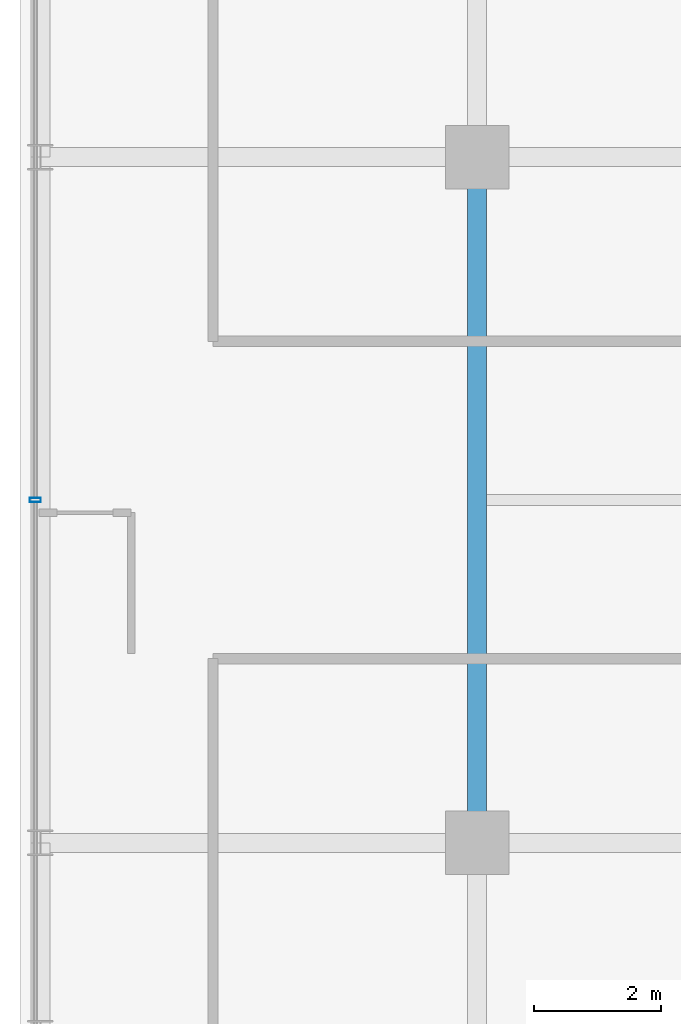
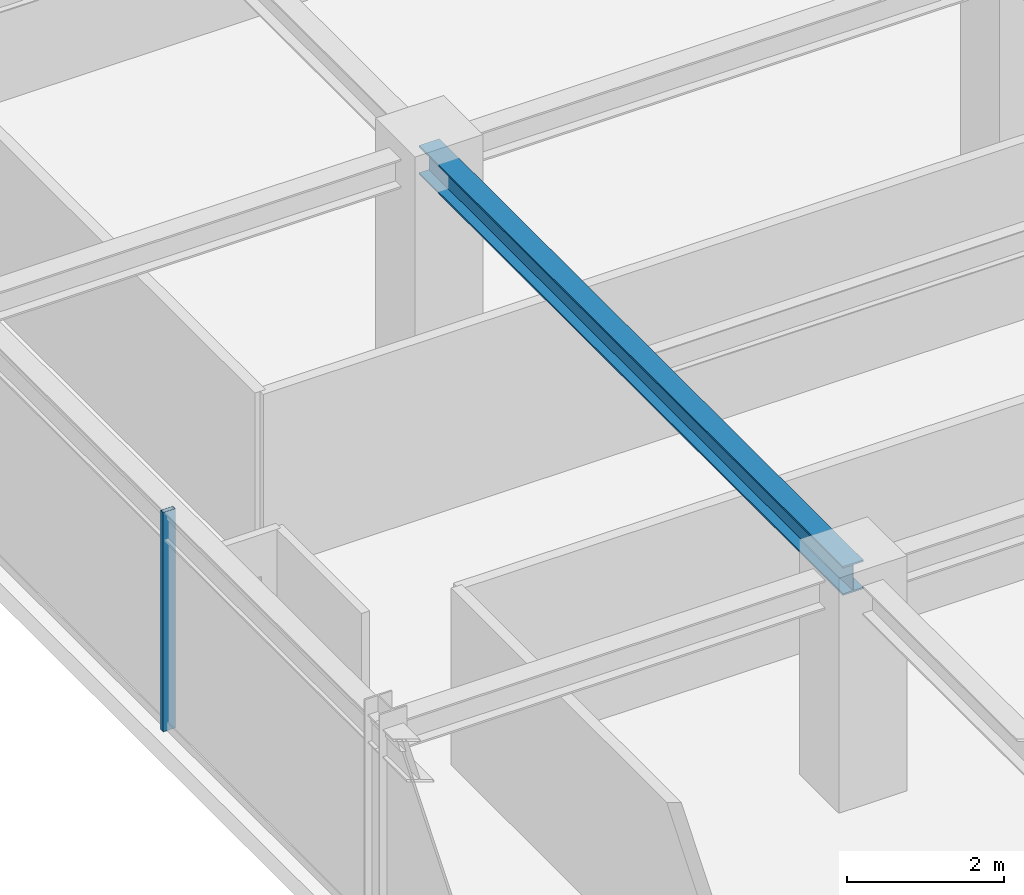
# One storey, part 10 of 42: 1 beam, 1 member, 1 element without a shape of its own.
"""IFC4 building model written with IfcOpenShell, lengths in metres."""

import ifcopenshell
import ifcopenshell.guid

model = None  # the IFC model being written
_history = None  # IfcOwnerHistory: only IFC2X3 demands one
_inside = {}  # id of a spatial element -> (the spatial element, [elements in it])
_under = {}  # id of a project, library or spatial element -> (it, [spatial elements below it])
_declared = {}  # id of a project -> (the project, [libraries it declares])
_typed = {}  # id of a type object -> (the type object, [elements of that type])
_made_of = {}  # id of a material, layer set ... -> (it, [elements and type objects made of it])


def new_model(schema):
    """Start an empty IFC model of exactly this schema.

    Asked for "IFC4X3", IfcOpenShell would pick the latest addendum, in which some entities
    have other attributes; the version numbers below select the first issue.
    IFC2X3 requires an IfcOwnerHistory on every rooted entity: one is made here for all.
    """
    global model, _history
    if schema == "IFC4X3":
        model = ifcopenshell.file(schema_version=(4, 3, 0, 0))
    else:
        model = ifcopenshell.file(schema=schema)
    _inside.clear()
    _under.clear()
    _declared.clear()
    _typed.clear()
    _made_of.clear()
    _history = None
    if model.schema == "IFC2X3":
        org = make("IfcOrganization", Name="unknown")
        user = make(
            "IfcPersonAndOrganization",
            ThePerson=make("IfcPerson", FamilyName="unknown"),
            TheOrganization=org,
        )
        app = make(
            "IfcApplication",
            ApplicationDeveloper=org,
            Version="unknown",
            ApplicationFullName="unknown",
            ApplicationIdentifier="unknown",
        )
        _history = make(
            "IfcOwnerHistory",
            OwningUser=user,
            OwningApplication=app,
            ChangeAction="ADDED",
            CreationDate=0,
        )
    return model


def make(cls, **values):
    """One entity of the class cls with the attributes given. An attribute that is None is left unset."""
    return model.create_entity(
        cls, **{name: value for name, value in values.items() if value is not None}
    )


def rooted(cls, **values):
    """An entity with a GlobalId (a new one), such as an element, a storey or a relation."""
    return make(cls, GlobalId=ifcopenshell.guid.new(), OwnerHistory=_history, **values)


def si_unit(unit_type, name, prefix=None):
    """IfcSIUnit, for example si_unit("LENGTHUNIT", "METRE", prefix="MILLI")."""
    return make("IfcSIUnit", UnitType=unit_type, Prefix=prefix, Name=name)


def assignment(units):
    """IfcUnitAssignment: the units of a project."""
    return None if units is None else make("IfcUnitAssignment", Units=units)


def point(xyz):
    """IfcCartesianPoint."""
    return None if xyz is None else make("IfcCartesianPoint", Coordinates=xyz)


def direction(xyz):
    """IfcDirection."""
    return None if xyz is None else make("IfcDirection", DirectionRatios=xyz)


def frame(location, z_axis=None, x_axis=None):
    """IfcAxis2Placement3D, a coordinate frame: its origin and axes. An axis left out is left unset."""
    return make(
        "IfcAxis2Placement3D",
        Location=point(location),
        Axis=direction(z_axis),
        RefDirection=direction(x_axis),
    )


def frame_2d(location, x_axis=None):
    """IfcAxis2Placement2D, a coordinate frame in the plane: its origin and x axis."""
    return make(
        "IfcAxis2Placement2D", Location=point(location), RefDirection=direction(x_axis)
    )


def origin():
    """The frame at (0, 0, 0) with its axes left unset."""
    return frame((0.0, 0.0, 0.0))


def origin_2d():
    """The frame at (0, 0) in the plane with its x axis left unset."""
    return frame_2d((0.0, 0.0))


def place(relative_to, where):
    """IfcLocalPlacement: puts the frame where relative to a parent placement (None: the world)."""
    return make(
        "IfcLocalPlacement", PlacementRelTo=relative_to, RelativePlacement=where
    )


def context(
    kind, dimensions, precision=None, world=None, true_north=None, identifier=None
):
    """IfcGeometricRepresentationContext, for example the 3D "Model" context."""
    return make(
        "IfcGeometricRepresentationContext",
        ContextIdentifier=identifier,
        ContextType=kind,
        CoordinateSpaceDimension=dimensions,
        Precision=precision,
        WorldCoordinateSystem=world,
        TrueNorth=true_north,
    )


def subcontext(parent, identifier, kind, view, scale=None):
    """IfcGeometricRepresentationSubContext, for example "Body" below "Model"."""
    return make(
        "IfcGeometricRepresentationSubContext",
        ContextIdentifier=identifier,
        ContextType=kind,
        ParentContext=parent,
        TargetScale=scale,
        TargetView=view,
    )


def project(units=None, contexts=None):
    """IfcProject with its units and contexts."""
    return rooted(
        "IfcProject",
        Name="project",
        RepresentationContexts=contexts,
        UnitsInContext=assignment(units),
    )


def spatial(cls, under=None, at=None, **own):
    """A site, building, storey or space (cls), placed at a placement, below another one or the project."""
    s = rooted(cls, ObjectPlacement=at, **own)
    if under is not None:
        _under.setdefault(under.id(), (under, []))[1].append(s)
    return s


def profile(cls, at=None, kind="AREA", **sizes):
    """A parametric profile (cls). Its sizes go by their IFC names, for example OverallWidth=200.0."""
    return make(cls, ProfileType=kind, Position=at, **sizes)


def hollow_rectangle(**sizes):
    """IfcRectangleHollowProfileDef."""
    return profile("IfcRectangleHollowProfileDef", **sizes)


def i_section(**sizes):
    """IfcIShapeProfileDef."""
    return profile("IfcIShapeProfileDef", **sizes)


def extrude(swept, where, along, depth):
    """IfcExtrudedAreaSolid: the profile swept, set in the frame where, extruded along a direction by depth."""
    return make(
        "IfcExtrudedAreaSolid",
        SweptArea=swept,
        Position=where,
        ExtrudedDirection=direction(along),
        Depth=depth,
    )


def shape(context_of_items, identifier, shape_type, items):
    """IfcShapeRepresentation: the items that make up one representation, for example the "Body"."""
    return make(
        "IfcShapeRepresentation",
        ContextOfItems=context_of_items,
        RepresentationIdentifier=identifier,
        RepresentationType=shape_type,
        Items=items,
    )


def source(mapping_origin, context_of_items, identifier, shape_type, items):
    """IfcRepresentationMap: a shape defined once, which mapped items show again and again."""
    return make(
        "IfcRepresentationMap",
        MappingOrigin=mapping_origin,
        MappedRepresentation=shape(context_of_items, identifier, shape_type, items),
    )


def transform(
    local_origin,
    x_axis=None,
    y_axis=None,
    z_axis=None,
    scale=None,
    scale2=None,
    scale3=None,
    uniform=True,
):
    """IfcCartesianTransformationOperator3D, or its non-uniform kind. x_axis, y_axis, z_axis: its Axis1, 2, 3."""
    if uniform:
        return make(
            "IfcCartesianTransformationOperator3D",
            Axis1=direction(x_axis),
            Axis2=direction(y_axis),
            LocalOrigin=point(local_origin),
            Scale=scale,
            Axis3=direction(z_axis),
        )
    return make(
        "IfcCartesianTransformationOperator3DnonUniform",
        Axis1=direction(x_axis),
        Axis2=direction(y_axis),
        LocalOrigin=point(local_origin),
        Scale=scale,
        Axis3=direction(z_axis),
        Scale2=scale2,
        Scale3=scale3,
    )


def mapped(mapping_source, mapping_target):
    """IfcMappedItem: shows the shape of a source again, moved by a transform."""
    return make(
        "IfcMappedItem", MappingSource=mapping_source, MappingTarget=mapping_target
    )


def material(Name=None, Category=None):
    """IfcMaterial."""
    return make("IfcMaterial", Name=Name, Category=Category)


def material_profile(
    of_material, cross_section, Name=None, Category=None, Priority=None
):
    """IfcMaterialProfile: a cross section and its material."""
    return make(
        "IfcMaterialProfile",
        Name=Name,
        Material=of_material,
        Profile=cross_section,
        Priority=Priority,
        Category=Category,
    )


def profile_set(profiles, Name=None, composite=None):
    """IfcMaterialProfileSet."""
    return make(
        "IfcMaterialProfileSet",
        Name=Name,
        MaterialProfiles=profiles,
        CompositeProfile=composite,
    )


def made_of(thing, what):
    """Note that an element or type object is made of a material, layer set ...; save() writes the relation."""
    if what is not None:
        _made_of.setdefault(what.id(), (what, []))[1].append(thing)
    return thing


def type_object(cls, material=None, **own):
    """A type object (cls), such as IfcWallType, which elements share."""
    return made_of(rooted(cls, **own), material)


def element(
    cls,
    number,
    at=None,
    inside=None,
    cuts=None,
    type_object=None,
    material=None,
    context=None,
    identifier="Body",
    shape_type=None,
    held_by="IfcProductDefinitionShape",
    body=None,
    shapes=None,
    **own,
):
    """One element of the class cls, such as IfcWall. Its Tag is "e" and its number.

    at: its placement. inside: the storey or other place that contains it. cuts: it is an
    opening in that element (IfcRelVoidsElement). A single representation is given by context,
    identifier, shape_type and body (its items); several are given by shapes. held_by: the class
    of the entity that holds the representations. save() writes the other relations.
    """
    e = rooted(cls, Tag="e%d" % number, ObjectPlacement=at, **own)
    if body is not None:
        shapes = [shape(context, identifier, shape_type, body)]
    if shapes is not None:
        e.Representation = make(held_by, Representations=shapes)
    if inside is not None:
        _inside.setdefault(inside.id(), (inside, []))[1].append(e)
    if cuts is not None:
        rooted(
            "IfcRelVoidsElement", RelatingBuildingElement=cuts, RelatedOpeningElement=e
        )
    if type_object is not None:
        _typed.setdefault(type_object.id(), (type_object, []))[1].append(e)
    return made_of(e, material)


def aggregate(whole, parts):
    """IfcRelAggregates: a whole, such as a stair, and the parts it consists of."""
    return rooted("IfcRelAggregates", RelatingObject=whole, RelatedObjects=parts)


def save(model, path):
    """Write the relations noted so far, then the file.

    IfcRelAggregates (storeys below a building ...), IfcRelContainedInSpatialStructure (elements
    in a storey), IfcRelDefinesByType, IfcRelAssociatesMaterial and IfcRelDeclares: one each for
    every whole, place, type object, material and project.
    """
    for whole, parts in _under.values():
        aggregate(whole, parts)
    for where, things in _inside.values():
        rooted(
            "IfcRelContainedInSpatialStructure",
            RelatedElements=things,
            RelatingStructure=where,
        )
    for kind, things in _typed.values():
        rooted("IfcRelDefinesByType", RelatedObjects=things, RelatingType=kind)
    for what, things in _made_of.values():
        rooted("IfcRelAssociatesMaterial", RelatedObjects=things, RelatingMaterial=what)
    for by, libraries in _declared.values():
        rooted("IfcRelDeclares", RelatingContext=by, RelatedDefinitions=libraries)
    model.write(path)


model = new_model("IFC4")

# Units and contexts
model_context = context("Model", 3, precision=1e-05, world=origin(), true_north=direction((0.0, 1.0)))
body_context = subcontext(model_context, "Body", "Model", "MODEL_VIEW")
ifc_project = project(units=[si_unit("LENGTHUNIT", "METRE"), si_unit("AREAUNIT", "SQUARE_METRE"), si_unit("VOLUMEUNIT", "CUBIC_METRE"), si_unit("PLANEANGLEUNIT", "RADIAN"), si_unit("MASSUNIT", "GRAM", prefix="KILO")], contexts=[model_context])

# Site, building, storey
site_placement = place(None, origin())
site = spatial("IfcSite", under=ifc_project, at=site_placement, CompositionType="ELEMENT")
building_placement = place(site_placement, origin())
building = spatial("IfcBuilding", under=site, at=building_placement, Name="Nahalor Promenade Grand Hotel", CompositionType="ELEMENT")
storey_placement = place(building_placement, frame((0.0, 0.0, 249.300048828125)))
storey = spatial("IfcBuildingStorey", under=building, at=storey_placement, Name="L64", CompositionType="ELEMENT", Elevation=249.300048828125)

# Beam
ifc_material_1 = material(Name="Steel S355JR", Category="steel")
ifc_material_profile_1 = material_profile(ifc_material_1, i_section(OverallWidth=0.3, OverallDepth=0.45, WebThickness=0.014, FlangeThickness=0.026, at=origin_2d()), Name="HEB 450")
ifc_profile_set_1 = profile_set([ifc_material_profile_1], Name="Steel S355JR")
beam_type = type_object("IfcBeamType", Name="Beam-Girder-HEB450", PredefinedType="BEAM", material=ifc_profile_set_1)
shared_shape_1 = source(origin(), body_context, "Body", "SweptSolid", [
    extrude(i_section(OverallWidth=0.3, OverallDepth=0.45, WebThickness=0.014, FlangeThickness=0.026, at=origin_2d()), origin(), (0.0, 0.0, 1.0), 10.7998046875),
])
beam_placement = place(storey_placement, frame((-17.0, -5.39990234375, 3.18505859375), z_axis=(0.0, 1.0, 0.0), x_axis=(-1.0, 0.0, 0.0)))
element("IfcBeam", 1, at=beam_placement, inside=storey, type_object=beam_type, Name="BM-L64-GY-0-2", PredefinedType="BEAM", context=body_context, shape_type="MappedRepresentation", body=[
    mapped(shared_shape_1, transform((0.0, 0.0, 0.0), scale=1.0)),
])

# Curtain wall, member
ifc_material_2 = material(Name="Anodised Bronze Aluminium EN AW-6063 T6", Category="aluminium")
curtain_wall_type = type_object("IfcCurtainWallType", Name="CW2 Typical Hotel Flush Bronze Unitised Curtain Wall", PredefinedType="USERDEFINED", material=ifc_material_2)
curtain_wall_placement = place(storey_placement, origin())
curtain_wall = element("IfcCurtainWall", 2, at=curtain_wall_placement, inside=storey, type_object=curtain_wall_type, Name="L64 Curtain Wall CW-L64-W-1", ObjectType="UNITISED_CURTAIN_WALL", PredefinedType="USERDEFINED")
ifc_material_profile_2 = material_profile(ifc_material_2, hollow_rectangle(XDim=0.065, YDim=0.18, WallThickness=0.004, at=origin_2d()), Name="CWM 65x180x4")
ifc_profile_set_2 = profile_set([ifc_material_profile_2], Name="Anodised Bronze Aluminium EN AW-6063 T6")
member_type = type_object("IfcMemberType", Name="CWM2 Typical Bronze Mullion 65x180", PredefinedType="MULLION", material=ifc_profile_set_2)
shared_shape_2 = source(origin(), body_context, "Body", "SweptSolid", [
    extrude(hollow_rectangle(XDim=0.065, YDim=0.18, WallThickness=0.004, at=origin_2d()), origin(), (0.0, 0.0, 1.0), 3.409912109375),
])
member_placement = place(storey_placement, frame((-23.9599609375, 0.0, 0.0), z_axis=(0.0, 0.0, 1.0), x_axis=(0.0, 1.0, 0.0)))
member = element("IfcMember", 3, at=member_placement, type_object=member_type, Name="CW-L64-W-1 Mullion 2", PredefinedType="MULLION", context=body_context, shape_type="MappedRepresentation", body=[
    mapped(shared_shape_2, transform((0.0, 0.0, 0.0), scale=1.0)),
])
aggregate(curtain_wall, [member])

save(model, "model.ifc")
